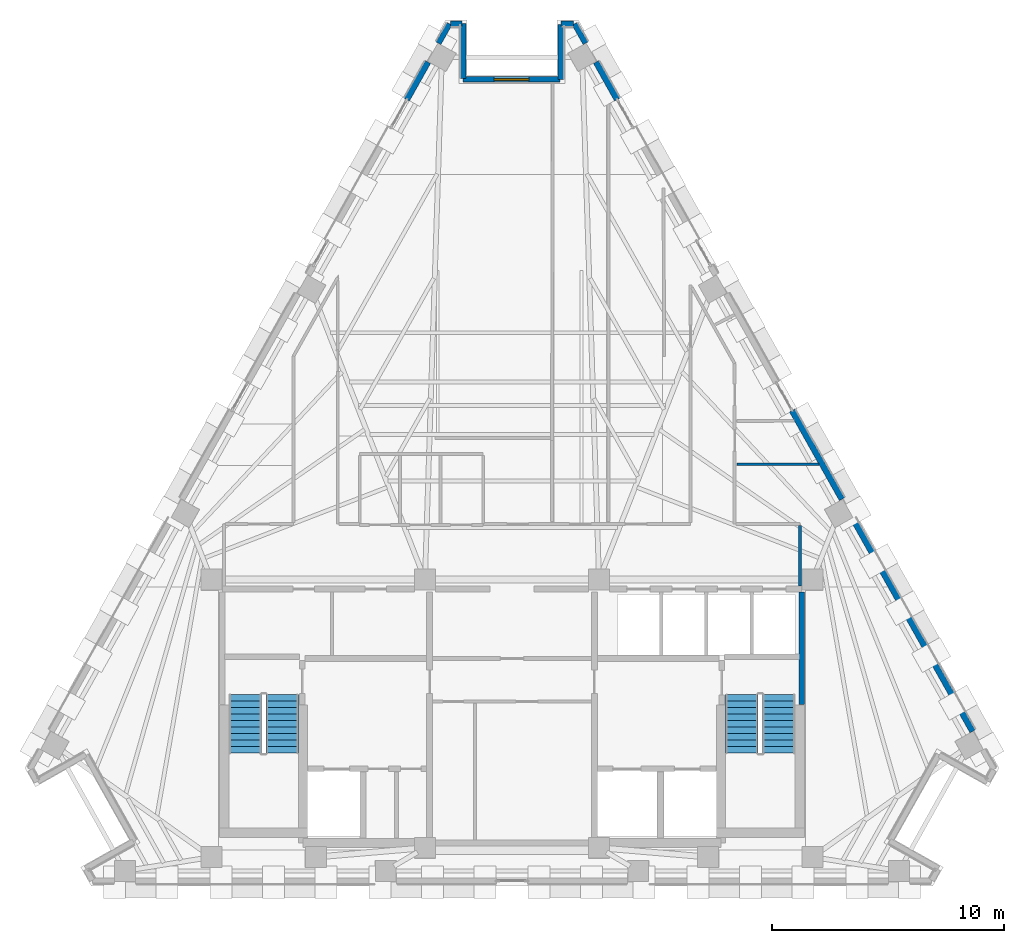
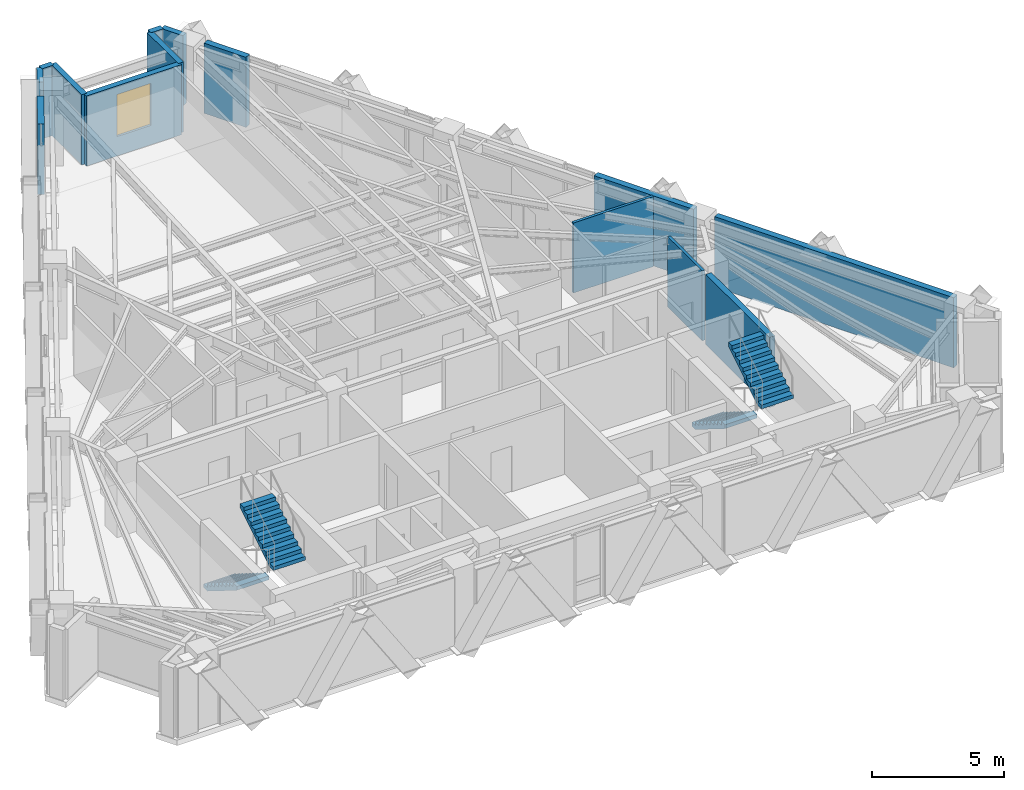
# One storey, part 9 of 13: 14 walls, 4 stair flights, 1 window, 1 opening, 2 elements without a shape of their own.
"""IFC4 building model written with IfcOpenShell, lengths in metres."""

from ifc_helpers import new_model, si_unit, direction, frame, frame_2d, origin, place, context, subcontext, project, spatial, polyline, rectangle, outline, extrude, material, layer, layer_set, type_object, element, fill, aggregate, save


model = new_model("IFC4")

# Units and contexts
model_context = context("Model", 3, precision=1e-05, world=origin(), true_north=direction((0.0, 1.0)))
body_context = subcontext(model_context, "Body", "Model", "MODEL_VIEW")
ifc_project = project(units=[si_unit("LENGTHUNIT", "METRE"), si_unit("AREAUNIT", "SQUARE_METRE"), si_unit("VOLUMEUNIT", "CUBIC_METRE"), si_unit("PLANEANGLEUNIT", "RADIAN"), si_unit("MASSUNIT", "GRAM", prefix="KILO")], contexts=[model_context])

# Site, building, storey
site_placement = place(None, origin())
site = spatial("IfcSite", under=ifc_project, at=site_placement, CompositionType="ELEMENT")
building_placement = place(site_placement, origin())
building = spatial("IfcBuilding", under=site, at=building_placement, Name="Quenlor Broadcast Tower", CompositionType="ELEMENT")
storey_placement = place(building_placement, frame((0.0, 0.0, 207.89990234375)))
storey = spatial("IfcBuildingStorey", under=building, at=storey_placement, Name="L57", CompositionType="ELEMENT", Elevation=207.89990234375)

# Walls
ifc_material_1 = material(Name="Concrete C40/50", Category="concrete")
ifc_layer_1 = layer(ifc_material_1, 0.25)
ifc_layer_set_1 = layer_set([ifc_layer_1], Name="Fire Rated Concrete C40/50 Core Wall 250")
wall_type_1 = type_object("IfcWallType", Name="Fire Rated Concrete C40/50 Core Wall 250", PredefinedType="PARTITIONING", material=ifc_layer_set_1)
wall_1_placement = place(storey_placement, frame((12.47998046875, -10.179931640625, 0.0), z_axis=(0.0, 0.0, 1.0), x_axis=(0.0, 1.0, 0.0)))
element("IfcWall", 1, at=wall_1_placement, inside=storey, type_object=wall_type_1, Name="L57 Interior Wall CW-ST2-E2", PredefinedType="PARTITIONING", context=body_context, shape_type="SweptSolid", body=[
    extrude(rectangle(XDim=4.83984375, YDim=0.25, at=frame_2d((2.419921875, 0.0))), origin(), (0.0, 0.0, 1.0), 3.25),
])
ifc_material_2 = material(Name="Gypsum Plasterboard Partition", Category="other")
ifc_layer_2 = layer(ifc_material_2, 0.1201171875)
ifc_layer_set_2 = layer_set([ifc_layer_2], Name="Standard Office Partition 120")
wall_type_2 = type_object("IfcWallType", Name="Standard Office Partition 120", PredefinedType="PARTITIONING", material=ifc_layer_set_2)
wall_2_placement = place(storey_placement, frame((12.409912109375, -2.4619140625, 0.0), z_axis=(0.0, 0.0, 1.0), x_axis=(0.0, -1.0, 0.0)))
element("IfcWall", 2, at=wall_2_placement, inside=storey, type_object=wall_type_2, Name="L57 Interior Wall PW-CR-11", PredefinedType="PARTITIONING", context=body_context, shape_type="SweptSolid", body=[
    extrude(rectangle(XDim=2.611083984375, YDim=0.1201171875, at=frame_2d((1.3056640625, 0.0))), origin(), (0.0, 0.0, 1.0), 3.25),
])
wall_3_placement = place(storey_placement, frame((13.220458984375, 0.168701171875, 0.0), z_axis=(0.0, 0.0, 1.0), x_axis=(-1.0, 0.0, 0.0)))
element("IfcWall", 3, at=wall_3_placement, inside=storey, type_object=wall_type_2, Name="L57 Interior Wall PW-DV-08", PredefinedType="PARTITIONING", context=body_context, shape_type="SweptSolid", body=[
    extrude(rectangle(XDim=3.5205078125, YDim=0.1201171875, at=frame_2d((1.76025390625, 0.0))), origin(), (0.0, 0.0, 1.0), 3.25),
])
ifc_material_3 = material(Name="Precast concrete C40/50", Category="concrete")
ifc_layer_3 = layer(ifc_material_3, 0.239990234375)
ifc_layer_set_3 = layer_set([ifc_layer_3], Name="Terrace Threshold Precast Concrete C40/50 Wall 240")
wall_type_3 = type_object("IfcWallType", Name="Terrace Threshold Precast Concrete C40/50 Wall 240", PredefinedType="STANDARD", material=ifc_layer_set_3)
for number, where, z_axis, x_axis, name in (
    (4, (2.6953125, 19.1494140625, 0.0), (0.0, 0.0, 1.0), (0.490345412687, -0.87152818443, 0.0), "L57 Exterior Wall L57-SHD-NES0"),
    (5, (-3.16796875, 18.309326171875, 0.0), (0.0, 0.0, 1.0), (0.490345412687, 0.87152818443, 0.0), "L57 Exterior Wall L57-SHD-NWS1"),
):
    element("IfcWall", number, at=place(storey_placement, frame(where, z_axis=z_axis, x_axis=x_axis)), inside=storey, type_object=wall_type_3, Name=name, PredefinedType="STANDARD", context=body_context, shape_type="SweptSolid", body=[
        extrude(rectangle(XDim=0.9638671875, YDim=0.239990234375, at=frame_2d((0.48193359375, 0.0))), origin(), (0.0, 0.0, 1.0), 3.25),
    ])
wall_4_placement = place(storey_placement, frame((2.658447265625, 19.152099609375, 0.0), z_axis=(0.0, 0.0, 1.0), x_axis=(-1.0, 0.0, 0.0)))
element("IfcWall", 6, at=wall_4_placement, inside=storey, type_object=wall_type_3, Name="L57 Exterior Wall L57-CNR-06", PredefinedType="STANDARD", context=body_context, shape_type="SweptSolid", body=[
    extrude(rectangle(XDim=0.55224609375, YDim=0.239990234375, at=frame_2d((0.276123046875, 0.0))), origin(), (0.0, 0.0, 1.0), 3.25),
])
wall_5_placement = place(storey_placement, frame((2.106201171875, 19.112060546875, 0.0), z_axis=(0.0, 0.0, 1.0), x_axis=(0.0, -1.0, 0.0)))
element("IfcWall", 7, at=wall_5_placement, inside=storey, type_object=wall_type_3, Name="L57 Exterior Wall L57-CNR-07", PredefinedType="STANDARD", context=body_context, shape_type="SweptSolid", body=[
    extrude(rectangle(XDim=2.360107421875, YDim=0.239990234375, at=frame_2d((1.18017578125, 0.0))), origin(), (0.0, 0.0, 1.0), 3.25),
])

# Wall, opening, window
wall_6_placement = place(storey_placement, frame((2.066162109375, 16.751953125, 0.0), z_axis=(0.0, 0.0, 1.0), x_axis=(-1.0, 0.0, 0.0)))
wall_6 = element("IfcWall", 8, at=wall_6_placement, inside=storey, type_object=wall_type_3, Name="L57 Exterior Wall L57-CNR-08", PredefinedType="STANDARD", context=body_context, shape_type="SweptSolid", body=[
    extrude(rectangle(XDim=4.17236328125, YDim=0.239990234375, at=frame_2d((2.086181640625, 0.0))), origin(), (0.0, 0.0, 1.0), 3.25),
])
opening_placement = place(wall_6_placement, frame((1.3359375, 0.0, 0.89990234375)))
opening = element("IfcOpeningElement", 9, at=opening_placement, cuts=wall_6, Name="Opening WN-3", PredefinedType="OPENING", context=body_context, shape_type="SweptSolid", body=[
    extrude(rectangle(XDim=1.5, YDim=1.949951171875, at=frame_2d((0.75, 0.97509765625))), frame((0.0, 0.1298828125, 0.0), z_axis=(0.0, -1.0, 0.0), x_axis=(1.0, 0.0, 0.0)), (0.0, 0.0, 1.0), 0.260009765625),
])
ifc_material_4 = material(Name="Thermally Broken Aluminium and Low-E Glass", Category="aluminium")
window_type = type_object("IfcWindowType", Name="Upper Tower Facade Window 1500x1950", PartitioningType="SINGLE_PANEL", PredefinedType="WINDOW", material=ifc_material_4)
window_placement = place(opening_placement, origin())
window = element("IfcWindow", 10, at=window_placement, inside=storey, type_object=window_type, Name="L57 Corner Chamfer Window 8", OverallHeight=1.949951171875, OverallWidth=1.5, PartitioningType="SINGLE_PANEL", PredefinedType="WINDOW", context=body_context, shape_type="SweptSolid", body=[
    extrude(rectangle(XDim=1.5, YDim=1.949951171875, at=frame_2d((0.75, 0.97509765625))), frame((0.0, 0.030029296875, 0.0), z_axis=(0.0, -1.0, 0.0), x_axis=(1.0, 0.0, 0.0)), (0.0, 0.0, 1.0), 0.06005859375),
])
fill(opening, window)

# Walls
wall_7_placement = place(storey_placement, frame((-2.106201171875, 16.7919921875, 0.0), z_axis=(0.0, 0.0, 1.0), x_axis=(0.0, 1.0, 0.0)))
element("IfcWall", 11, at=wall_7_placement, inside=storey, type_object=wall_type_3, Name="L57 Exterior Wall L57-CNR-09", PredefinedType="STANDARD", context=body_context, shape_type="SweptSolid", body=[
    extrude(rectangle(XDim=2.360107421875, YDim=0.239990234375, at=frame_2d((1.18017578125, 0.0))), origin(), (0.0, 0.0, 1.0), 3.25),
])
wall_8_placement = place(storey_placement, frame((-2.146240234375, 19.152099609375, 0.0), z_axis=(0.0, 0.0, 1.0), x_axis=(-1.0, 0.0, 0.0)))
element("IfcWall", 12, at=wall_8_placement, inside=storey, type_object=wall_type_3, Name="L57 Exterior Wall L57-CNR-10", PredefinedType="STANDARD", context=body_context, shape_type="SweptSolid", body=[
    extrude(rectangle(XDim=0.51220703125, YDim=0.239990234375, at=frame_2d((0.256103515625, 0.0))), origin(), (0.0, 0.0, 1.0), 3.25),
])
ifc_material_5 = material(Name="Precast concrete C40/50", Category="concrete")
ifc_layer_4 = layer(ifc_material_5, 0.260009765625)
ifc_layer_set_4 = layer_set([ifc_layer_4], Name="Terracotta Precast Concrete C40/50 Upper Wall 260")
wall_type_4 = type_object("IfcWallType", Name="Terracotta Precast Concrete C40/50 Upper Wall 260", PredefinedType="STANDARD", material=ifc_layer_set_4)
wall_9_placement = place(storey_placement, frame((3.623779296875, 17.498779296875, 0.0), z_axis=(0.0, 0.0, 1.0), x_axis=(0.490261239633, -0.871575537125, 0.0)))
element("IfcWall", 13, at=wall_9_placement, inside=storey, type_object=wall_type_4, Name="L57 Exterior Wall L57-NEA-SP1", PredefinedType="STANDARD", context=body_context, shape_type="SweptSolid", body=[
    extrude(rectangle(XDim=1.85546875, YDim=0.260009765625, at=frame_2d((0.927734375, 0.0))), origin(), (0.0, 0.0, 1.0), 3.25),
])
wall_10_placement = place(storey_placement, frame((14.6708984375, -2.140380859375, 0.0), z_axis=(0.0, 0.0, 1.0), x_axis=(0.490246958575, -0.871583570066, 0.0)))
element("IfcWall", 14, at=wall_10_placement, inside=storey, type_object=wall_type_4, Name="L57 Exterior Wall L57-EW-NEC", PredefinedType="STANDARD", context=body_context, shape_type="SweptSolid", body=[
    extrude(rectangle(XDim=10.551513671875, YDim=0.260009765625, at=frame_2d((5.27587890625, 0.0))), origin(), (0.0, 0.0, 1.0), 3.25),
])
wall_11_placement = place(storey_placement, frame((12.066162109375, 2.489990234375, 0.0), z_axis=(0.0, 0.0, 1.0), x_axis=(0.490261239633, -0.871575537125, 0.0)))
element("IfcWall", 15, at=wall_11_placement, inside=storey, type_object=wall_type_4, Name="L57 Exterior Wall L57-NE-SP2", PredefinedType="STANDARD", context=body_context, shape_type="SweptSolid", body=[
    extrude(rectangle(XDim=4.3876953125, YDim=0.260009765625, at=frame_2d((2.19384765625, 0.0))), origin(), (0.0, 0.0, 1.0), 3.25),
])
wall_12_placement = place(storey_placement, frame((-4.533447265625, 15.881591796875, 0.0), z_axis=(0.0, 0.0, 1.0), x_axis=(0.490261239633, 0.871575537125, 0.0)))
element("IfcWall", 16, at=wall_12_placement, inside=storey, type_object=wall_type_4, Name="L57 Exterior Wall L57-NWC-SP3", PredefinedType="STANDARD", context=body_context, shape_type="SweptSolid", body=[
    extrude(rectangle(XDim=1.85546875, YDim=0.260009765625, at=frame_2d((0.927734375, 0.0))), origin(), (0.0, 0.0, 1.0), 3.25),
])

# Stair, stair flights
ifc_material_6 = material(Name="Precast concrete C40/50", Category="concrete")
stair_type = type_object("IfcStairType", Name="Precast Concrete C40/50 Dogleg Stair H350", PredefinedType="HALF_TURN_STAIR", material=ifc_material_6)
stair_1_placement = place(storey_placement, origin())
stair_1 = element("IfcStair", 17, at=stair_1_placement, inside=storey, type_object=stair_type, Name="L57 West Core Fire-Isolated Exit Stair ST-1", PredefinedType="HALF_TURN_STAIR")
ifc_material_7 = material(Name="Precast concrete C40/50", Category="concrete")
ifc_layer_5 = layer(ifc_material_7, 0.159912109375)
ifc_layer_set_5 = layer_set([ifc_layer_5], Name="Precast Concrete C40/50 Stair Flight H350")
stair_flight_type = type_object("IfcStairFlightType", Name="Precast Concrete C40/50 Stair Flight H350", PredefinedType="STRAIGHT", material=ifc_layer_set_5)
stair_flight_1_placement = place(storey_placement, frame((-11.5, -9.75, 0.0), z_axis=(0.0, 0.0, 1.0), x_axis=(0.0, -1.0, 0.0)))
stair_flight_1 = element("IfcStairFlight", 18, at=stair_flight_1_placement, type_object=stair_flight_type, Name="ST-1 flight 1", NumberOfRisers=10, NumberOfTreads=9, PredefinedType="STRAIGHT", RiserHeight=0.175, TreadLength=0.28, context=body_context, shape_type="SweptSolid", body=[
    extrude(outline(polyline([(0.0, 0.0), (0.0, 0.175048828125), (0.280029296875, 0.175048828125), (0.280029296875, 0.35009765625), (0.56005859375, 0.35009765625), (0.56005859375, 0.52490234375), (0.840087890625, 0.52490234375), (0.840087890625, 0.699951171875), (1.1201171875, 0.699951171875), (1.1201171875, 0.875), (1.39990234375, 0.875), (1.39990234375, 1.050048828125), (1.679931640625, 1.050048828125), (1.679931640625, 1.22509765625), (1.9599609375, 1.22509765625), (1.9599609375, 1.39990234375), (2.239990234375, 1.39990234375), (2.239990234375, 1.574951171875), (2.52001953125, 1.574951171875), (2.52001953125, 1.75), (2.52001953125, 1.398193359375), (0.28271484375, 0.0), (0.0, 0.0)])), frame((0.0, 0.699951171875, 0.0), z_axis=(0.0, -1.0, 0.0), x_axis=(1.0, 0.0, 0.0)), (0.0, 0.0, 1.0), 1.39990234375),
])
stair_flight_2_placement = place(storey_placement, frame((-9.89990234375, -12.27001953125, 1.75), z_axis=(0.0, 0.0, 1.0), x_axis=(0.0, 1.0, 0.0)))
stair_flight_2 = element("IfcStairFlight", 19, at=stair_flight_2_placement, type_object=stair_flight_type, Name="ST-1 flight 2", NumberOfRisers=10, NumberOfTreads=9, PredefinedType="STRAIGHT", RiserHeight=0.175, TreadLength=0.28, context=body_context, shape_type="SweptSolid", body=[
    extrude(outline(polyline([(0.0, 0.0), (0.0, 0.175048828125), (0.280029296875, 0.175048828125), (0.280029296875, 0.35009765625), (0.56005859375, 0.35009765625), (0.56005859375, 0.52490234375), (0.840087890625, 0.52490234375), (0.840087890625, 0.699951171875), (1.1201171875, 0.699951171875), (1.1201171875, 0.875), (1.39990234375, 0.875), (1.39990234375, 1.050048828125), (1.679931640625, 1.050048828125), (1.679931640625, 1.22509765625), (1.9599609375, 1.22509765625), (1.9599609375, 1.39990234375), (2.239990234375, 1.39990234375), (2.239990234375, 1.574951171875), (2.52001953125, 1.574951171875), (2.52001953125, 1.75), (2.52001953125, 1.398193359375), (0.28271484375, 0.0), (0.0, 0.0)])), frame((0.0, 0.699951171875, 0.0), z_axis=(0.0, -1.0, 0.0), x_axis=(1.0, 0.0, 0.0)), (0.0, 0.0, 1.0), 1.39990234375),
])
aggregate(stair_1, [stair_flight_1, stair_flight_2])

stair_2_placement = place(storey_placement, origin())
stair_2 = element("IfcStair", 20, at=stair_2_placement, inside=storey, type_object=stair_type, Name="L57 East Core Fire-Isolated Exit Stair ST-2", PredefinedType="HALF_TURN_STAIR")
stair_flight_3_placement = place(storey_placement, frame((9.89990234375, -9.75, 0.0), z_axis=(0.0, 0.0, 1.0), x_axis=(0.0, -1.0, 0.0)))
stair_flight_3 = element("IfcStairFlight", 21, at=stair_flight_3_placement, type_object=stair_flight_type, Name="ST-2 flight 1", NumberOfRisers=10, NumberOfTreads=9, PredefinedType="STRAIGHT", RiserHeight=0.175, TreadLength=0.28, context=body_context, shape_type="SweptSolid", body=[
    extrude(outline(polyline([(0.0, 0.0), (0.0, 0.175048828125), (0.280029296875, 0.175048828125), (0.280029296875, 0.35009765625), (0.56005859375, 0.35009765625), (0.56005859375, 0.52490234375), (0.840087890625, 0.52490234375), (0.840087890625, 0.699951171875), (1.1201171875, 0.699951171875), (1.1201171875, 0.875), (1.39990234375, 0.875), (1.39990234375, 1.050048828125), (1.679931640625, 1.050048828125), (1.679931640625, 1.22509765625), (1.9599609375, 1.22509765625), (1.9599609375, 1.39990234375), (2.239990234375, 1.39990234375), (2.239990234375, 1.574951171875), (2.52001953125, 1.574951171875), (2.52001953125, 1.75), (2.52001953125, 1.398193359375), (0.28271484375, 0.0), (0.0, 0.0)])), frame((0.0, 0.699951171875, 0.0), z_axis=(0.0, -1.0, 0.0), x_axis=(1.0, 0.0, 0.0)), (0.0, 0.0, 1.0), 1.39990234375),
])
stair_flight_4_placement = place(storey_placement, frame((11.5, -12.27001953125, 1.75), z_axis=(0.0, 0.0, 1.0), x_axis=(0.0, 1.0, 0.0)))
stair_flight_4 = element("IfcStairFlight", 22, at=stair_flight_4_placement, type_object=stair_flight_type, Name="ST-2 flight 2", NumberOfRisers=10, NumberOfTreads=9, PredefinedType="STRAIGHT", RiserHeight=0.175, TreadLength=0.28, context=body_context, shape_type="SweptSolid", body=[
    extrude(outline(polyline([(0.0, 0.0), (0.0, 0.175048828125), (0.280029296875, 0.175048828125), (0.280029296875, 0.35009765625), (0.56005859375, 0.35009765625), (0.56005859375, 0.52490234375), (0.840087890625, 0.52490234375), (0.840087890625, 0.699951171875), (1.1201171875, 0.699951171875), (1.1201171875, 0.875), (1.39990234375, 0.875), (1.39990234375, 1.050048828125), (1.679931640625, 1.050048828125), (1.679931640625, 1.22509765625), (1.9599609375, 1.22509765625), (1.9599609375, 1.39990234375), (2.239990234375, 1.39990234375), (2.239990234375, 1.574951171875), (2.52001953125, 1.574951171875), (2.52001953125, 1.75), (2.52001953125, 1.398193359375), (0.28271484375, 0.0), (0.0, 0.0)])), frame((0.0, 0.699951171875, 0.0), z_axis=(0.0, -1.0, 0.0), x_axis=(1.0, 0.0, 0.0)), (0.0, 0.0, 1.0), 1.39990234375),
])
aggregate(stair_2, [stair_flight_3, stair_flight_4])

save(model, "model.ifc")
